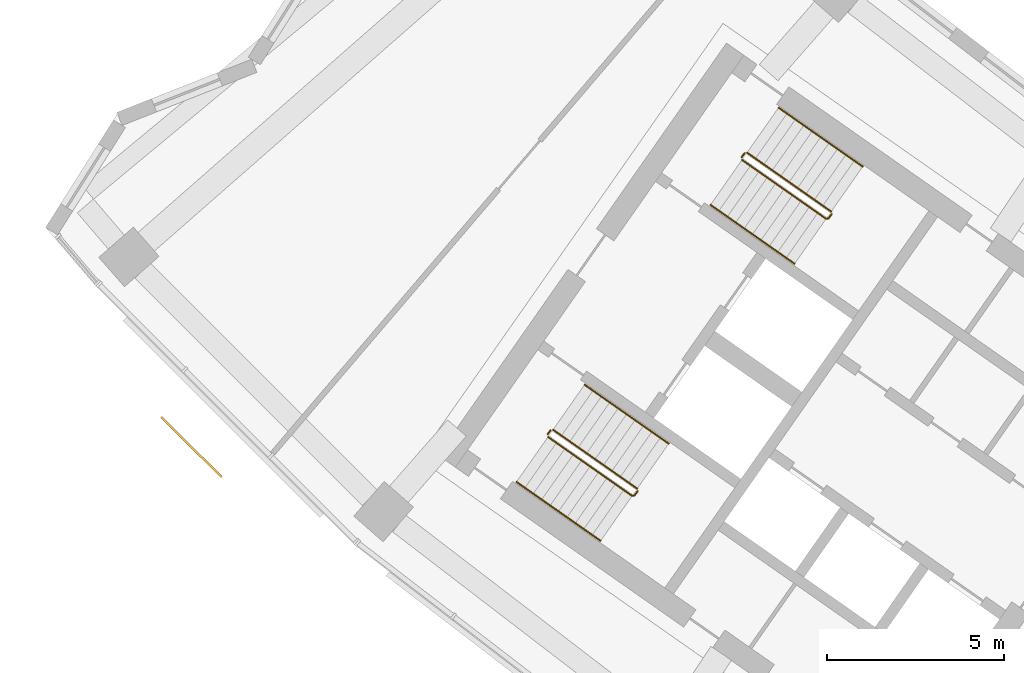
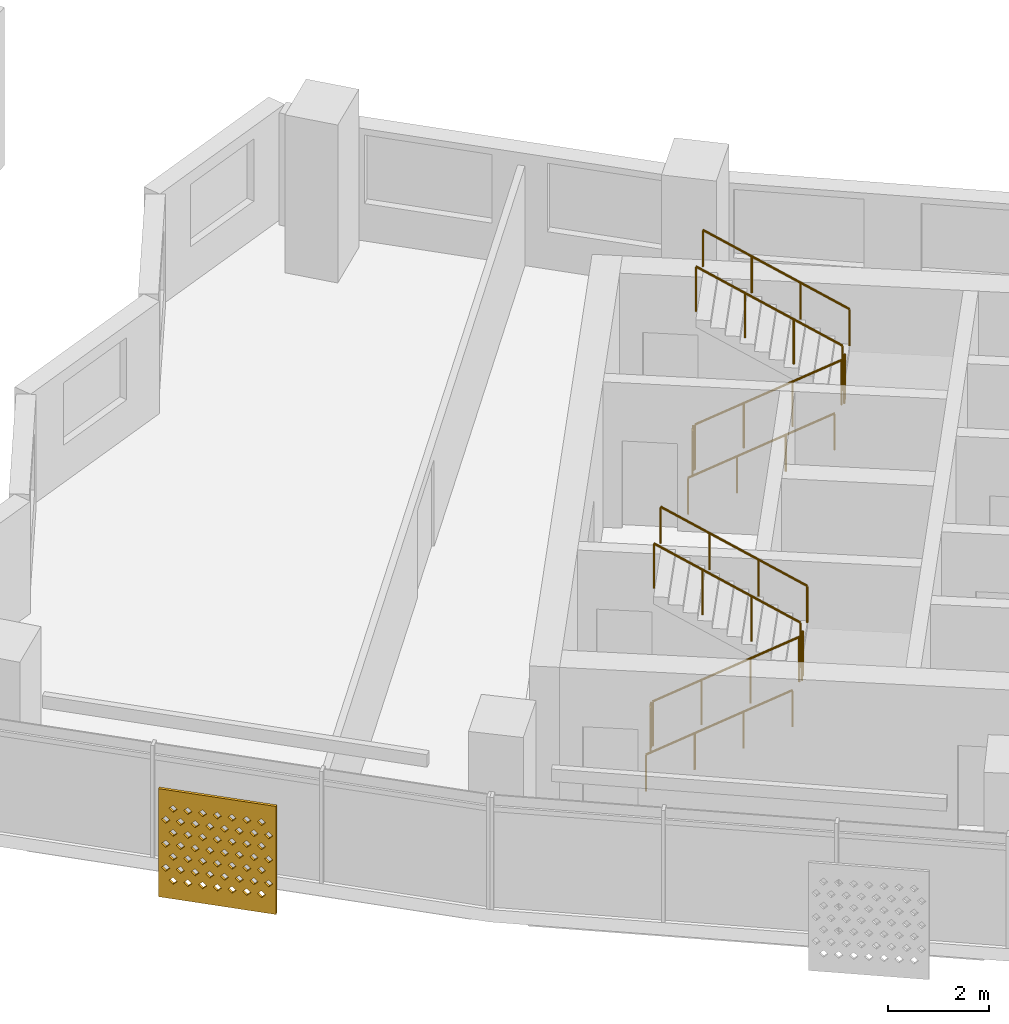
# One storey, part 22 of 26: 10 railings, 1 shading device.
"""IFC4 building model written with IfcOpenShell, lengths in metres."""

from ifc_helpers import new_model, si_unit, direction, frame, origin, origin_2d, place, context, subcontext, project, spatial, polyline, circle, outline, extrude, material, material_profile, profile_set, type_object, element, save


model = new_model("IFC4")

# Units and contexts
model_context = context("Model", 3, precision=1e-05, world=origin(), true_north=direction((0.0, 1.0)))
body_context = subcontext(model_context, "Body", "Model", "MODEL_VIEW")
ifc_project = project(units=[si_unit("LENGTHUNIT", "METRE"), si_unit("AREAUNIT", "SQUARE_METRE"), si_unit("VOLUMEUNIT", "CUBIC_METRE"), si_unit("PLANEANGLEUNIT", "RADIAN"), si_unit("MASSUNIT", "GRAM", prefix="KILO")], contexts=[model_context])

# Site, building, storey
site_placement = place(None, origin())
site = spatial("IfcSite", under=ifc_project, at=site_placement, CompositionType="ELEMENT")
building_placement = place(site_placement, origin())
building = spatial("IfcBuilding", under=site, at=building_placement, Name="Qamariyya Broadcast Tower", CompositionType="ELEMENT")
storey_placement = place(building_placement, frame((0.0, 0.0, 160.699951171875)))
storey = spatial("IfcBuildingStorey", under=building, at=storey_placement, Name="L37", CompositionType="ELEMENT", Elevation=160.699951171875)

# Shading device
ifc_material_1 = material(Name="Perforated glazed terracotta", Category="masonry")
ifc_material_profile = material_profile(ifc_material_1, outline(polyline([(-1.199951171875, -1.300048828125), (1.199951171875, -1.300048828125), (1.199951171875, 1.300048828125), (-1.199951171875, 1.300048828125), (-1.199951171875, -1.300048828125)]), holes=[polyline([(-0.81494140625, -0.86669921875), (-0.89990234375, -0.78173828125), (-0.985107421875, -0.86669921875), (-0.89990234375, -0.95166015625), (-0.81494140625, -0.86669921875)]), polyline([(-0.514892578125, -0.86669921875), (-0.60009765625, -0.78173828125), (-0.68505859375, -0.86669921875), (-0.60009765625, -0.95166015625), (-0.514892578125, -0.86669921875)]), polyline([(-0.215087890625, -0.86669921875), (-0.300048828125, -0.78173828125), (-0.385009765625, -0.86669921875), (-0.300048828125, -0.95166015625), (-0.215087890625, -0.86669921875)]), polyline([(0.0849609375, -0.86669921875), (0.0, -0.78173828125), (-0.0849609375, -0.86669921875), (0.0, -0.95166015625), (0.0849609375, -0.86669921875)]), polyline([(0.385009765625, -0.86669921875), (0.300048828125, -0.78173828125), (0.215087890625, -0.86669921875), (0.300048828125, -0.95166015625), (0.385009765625, -0.86669921875)]), polyline([(0.68505859375, -0.86669921875), (0.60009765625, -0.78173828125), (0.514892578125, -0.86669921875), (0.60009765625, -0.95166015625), (0.68505859375, -0.86669921875)]), polyline([(0.985107421875, -0.86669921875), (0.89990234375, -0.78173828125), (0.81494140625, -0.86669921875), (0.89990234375, -0.95166015625), (0.985107421875, -0.86669921875)]), polyline([(-0.965087890625, -0.577880859375), (-1.050048828125, -0.49267578125), (-1.135009765625, -0.577880859375), (-1.050048828125, -0.662841796875), (-0.965087890625, -0.577880859375)]), polyline([(-0.6650390625, -0.577880859375), (-0.75, -0.49267578125), (-0.8349609375, -0.577880859375), (-0.75, -0.662841796875), (-0.6650390625, -0.577880859375)]), polyline([(-0.364990234375, -0.577880859375), (-0.449951171875, -0.49267578125), (-0.534912109375, -0.577880859375), (-0.449951171875, -0.662841796875), (-0.364990234375, -0.577880859375)]), polyline([(-0.06494140625, -0.577880859375), (-0.14990234375, -0.49267578125), (-0.235107421875, -0.577880859375), (-0.14990234375, -0.662841796875), (-0.06494140625, -0.577880859375)]), polyline([(0.235107421875, -0.577880859375), (0.14990234375, -0.49267578125), (0.06494140625, -0.577880859375), (0.14990234375, -0.662841796875), (0.235107421875, -0.577880859375)]), polyline([(0.534912109375, -0.577880859375), (0.449951171875, -0.49267578125), (0.364990234375, -0.577880859375), (0.449951171875, -0.662841796875), (0.534912109375, -0.577880859375)]), polyline([(0.8349609375, -0.577880859375), (0.75, -0.49267578125), (0.6650390625, -0.577880859375), (0.75, -0.662841796875), (0.8349609375, -0.577880859375)]), polyline([(1.135009765625, -0.577880859375), (1.050048828125, -0.49267578125), (0.965087890625, -0.577880859375), (1.050048828125, -0.662841796875), (1.135009765625, -0.577880859375)]), polyline([(-0.81494140625, -0.288818359375), (-0.89990234375, -0.203857421875), (-0.985107421875, -0.288818359375), (-0.89990234375, -0.373779296875), (-0.81494140625, -0.288818359375)]), polyline([(-0.514892578125, -0.288818359375), (-0.60009765625, -0.203857421875), (-0.68505859375, -0.288818359375), (-0.60009765625, -0.373779296875), (-0.514892578125, -0.288818359375)]), polyline([(-0.215087890625, -0.288818359375), (-0.300048828125, -0.203857421875), (-0.385009765625, -0.288818359375), (-0.300048828125, -0.373779296875), (-0.215087890625, -0.288818359375)]), polyline([(0.0849609375, -0.288818359375), (0.0, -0.203857421875), (-0.0849609375, -0.288818359375), (0.0, -0.373779296875), (0.0849609375, -0.288818359375)]), polyline([(0.385009765625, -0.288818359375), (0.300048828125, -0.203857421875), (0.215087890625, -0.288818359375), (0.300048828125, -0.373779296875), (0.385009765625, -0.288818359375)]), polyline([(0.68505859375, -0.288818359375), (0.60009765625, -0.203857421875), (0.514892578125, -0.288818359375), (0.60009765625, -0.373779296875), (0.68505859375, -0.288818359375)]), polyline([(0.985107421875, -0.288818359375), (0.89990234375, -0.203857421875), (0.81494140625, -0.288818359375), (0.89990234375, -0.373779296875), (0.985107421875, -0.288818359375)]), polyline([(-0.965087890625, 0.0), (-1.050048828125, 0.0849609375), (-1.135009765625, 0.0), (-1.050048828125, -0.0849609375), (-0.965087890625, 0.0)]), polyline([(-0.6650390625, 0.0), (-0.75, 0.0849609375), (-0.8349609375, 0.0), (-0.75, -0.0849609375), (-0.6650390625, 0.0)]), polyline([(-0.364990234375, 0.0), (-0.449951171875, 0.0849609375), (-0.534912109375, 0.0), (-0.449951171875, -0.0849609375), (-0.364990234375, 0.0)]), polyline([(-0.06494140625, 0.0), (-0.14990234375, 0.0849609375), (-0.235107421875, 0.0), (-0.14990234375, -0.0849609375), (-0.06494140625, 0.0)]), polyline([(0.235107421875, 0.0), (0.14990234375, 0.0849609375), (0.06494140625, 0.0), (0.14990234375, -0.0849609375), (0.235107421875, 0.0)]), polyline([(0.534912109375, 0.0), (0.449951171875, 0.0849609375), (0.364990234375, 0.0), (0.449951171875, -0.0849609375), (0.534912109375, 0.0)]), polyline([(0.8349609375, 0.0), (0.75, 0.0849609375), (0.6650390625, 0.0), (0.75, -0.0849609375), (0.8349609375, 0.0)]), polyline([(1.135009765625, 0.0), (1.050048828125, 0.0849609375), (0.965087890625, 0.0), (1.050048828125, -0.0849609375), (1.135009765625, 0.0)]), polyline([(-0.81494140625, 0.288818359375), (-0.89990234375, 0.373779296875), (-0.985107421875, 0.288818359375), (-0.89990234375, 0.203857421875), (-0.81494140625, 0.288818359375)]), polyline([(-0.514892578125, 0.288818359375), (-0.60009765625, 0.373779296875), (-0.68505859375, 0.288818359375), (-0.60009765625, 0.203857421875), (-0.514892578125, 0.288818359375)]), polyline([(-0.215087890625, 0.288818359375), (-0.300048828125, 0.373779296875), (-0.385009765625, 0.288818359375), (-0.300048828125, 0.203857421875), (-0.215087890625, 0.288818359375)]), polyline([(0.0849609375, 0.288818359375), (0.0, 0.373779296875), (-0.0849609375, 0.288818359375), (0.0, 0.203857421875), (0.0849609375, 0.288818359375)]), polyline([(0.385009765625, 0.288818359375), (0.300048828125, 0.373779296875), (0.215087890625, 0.288818359375), (0.300048828125, 0.203857421875), (0.385009765625, 0.288818359375)]), polyline([(0.68505859375, 0.288818359375), (0.60009765625, 0.373779296875), (0.514892578125, 0.288818359375), (0.60009765625, 0.203857421875), (0.68505859375, 0.288818359375)]), polyline([(0.985107421875, 0.288818359375), (0.89990234375, 0.373779296875), (0.81494140625, 0.288818359375), (0.89990234375, 0.203857421875), (0.985107421875, 0.288818359375)]), polyline([(-0.965087890625, 0.577880859375), (-1.050048828125, 0.662841796875), (-1.135009765625, 0.577880859375), (-1.050048828125, 0.49267578125), (-0.965087890625, 0.577880859375)]), polyline([(-0.6650390625, 0.577880859375), (-0.75, 0.662841796875), (-0.8349609375, 0.577880859375), (-0.75, 0.49267578125), (-0.6650390625, 0.577880859375)]), polyline([(-0.364990234375, 0.577880859375), (-0.449951171875, 0.662841796875), (-0.534912109375, 0.577880859375), (-0.449951171875, 0.49267578125), (-0.364990234375, 0.577880859375)]), polyline([(-0.06494140625, 0.577880859375), (-0.14990234375, 0.662841796875), (-0.235107421875, 0.577880859375), (-0.14990234375, 0.49267578125), (-0.06494140625, 0.577880859375)]), polyline([(0.235107421875, 0.577880859375), (0.14990234375, 0.662841796875), (0.06494140625, 0.577880859375), (0.14990234375, 0.49267578125), (0.235107421875, 0.577880859375)]), polyline([(0.534912109375, 0.577880859375), (0.449951171875, 0.662841796875), (0.364990234375, 0.577880859375), (0.449951171875, 0.49267578125), (0.534912109375, 0.577880859375)]), polyline([(0.8349609375, 0.577880859375), (0.75, 0.662841796875), (0.6650390625, 0.577880859375), (0.75, 0.49267578125), (0.8349609375, 0.577880859375)]), polyline([(1.135009765625, 0.577880859375), (1.050048828125, 0.662841796875), (0.965087890625, 0.577880859375), (1.050048828125, 0.49267578125), (1.135009765625, 0.577880859375)]), polyline([(-0.81494140625, 0.86669921875), (-0.89990234375, 0.95166015625), (-0.985107421875, 0.86669921875), (-0.89990234375, 0.78173828125), (-0.81494140625, 0.86669921875)]), polyline([(-0.514892578125, 0.86669921875), (-0.60009765625, 0.95166015625), (-0.68505859375, 0.86669921875), (-0.60009765625, 0.78173828125), (-0.514892578125, 0.86669921875)]), polyline([(-0.215087890625, 0.86669921875), (-0.300048828125, 0.95166015625), (-0.385009765625, 0.86669921875), (-0.300048828125, 0.78173828125), (-0.215087890625, 0.86669921875)]), polyline([(0.0849609375, 0.86669921875), (0.0, 0.95166015625), (-0.0849609375, 0.86669921875), (0.0, 0.78173828125), (0.0849609375, 0.86669921875)]), polyline([(0.385009765625, 0.86669921875), (0.300048828125, 0.95166015625), (0.215087890625, 0.86669921875), (0.300048828125, 0.78173828125), (0.385009765625, 0.86669921875)]), polyline([(0.68505859375, 0.86669921875), (0.60009765625, 0.95166015625), (0.514892578125, 0.86669921875), (0.60009765625, 0.78173828125), (0.68505859375, 0.86669921875)]), polyline([(0.985107421875, 0.86669921875), (0.89990234375, 0.95166015625), (0.81494140625, 0.86669921875), (0.89990234375, 0.78173828125), (0.985107421875, 0.86669921875)])]))
ifc_profile_set = profile_set([ifc_material_profile], Name="Perforated glazed terracotta")
shading_device_type = type_object("IfcShadingDeviceType", Name="Perforated terracotta screen 2400 x 2600", PredefinedType="USERDEFINED", material=ifc_profile_set)
shading_device_placement = place(storey_placement, frame((-56.66943359375, -56.6103515625, 1.35009765625), z_axis=(-0.705066081692, -0.709141608176, 0.0), x_axis=(0.709141608176, -0.705066081692, 0.0)))
element("IfcShadingDevice", 1, at=shading_device_placement, inside=storey, type_object=shading_device_type, Name="e-scr-L37-01-1", ObjectType="SCREEN", PredefinedType="USERDEFINED", context=body_context, shape_type="SweptSolid", body=[
    extrude(outline(polyline([(-1.199951171875, -1.300048828125), (1.199951171875, -1.300048828125), (1.199951171875, 1.300048828125), (-1.199951171875, 1.300048828125), (-1.199951171875, -1.300048828125)]), holes=[polyline([(-0.81494140625, -0.86669921875), (-0.89990234375, -0.78173828125), (-0.985107421875, -0.86669921875), (-0.89990234375, -0.95166015625), (-0.81494140625, -0.86669921875)]), polyline([(-0.514892578125, -0.86669921875), (-0.60009765625, -0.78173828125), (-0.68505859375, -0.86669921875), (-0.60009765625, -0.95166015625), (-0.514892578125, -0.86669921875)]), polyline([(-0.215087890625, -0.86669921875), (-0.300048828125, -0.78173828125), (-0.385009765625, -0.86669921875), (-0.300048828125, -0.95166015625), (-0.215087890625, -0.86669921875)]), polyline([(0.0849609375, -0.86669921875), (0.0, -0.78173828125), (-0.0849609375, -0.86669921875), (0.0, -0.95166015625), (0.0849609375, -0.86669921875)]), polyline([(0.385009765625, -0.86669921875), (0.300048828125, -0.78173828125), (0.215087890625, -0.86669921875), (0.300048828125, -0.95166015625), (0.385009765625, -0.86669921875)]), polyline([(0.68505859375, -0.86669921875), (0.60009765625, -0.78173828125), (0.514892578125, -0.86669921875), (0.60009765625, -0.95166015625), (0.68505859375, -0.86669921875)]), polyline([(0.985107421875, -0.86669921875), (0.89990234375, -0.78173828125), (0.81494140625, -0.86669921875), (0.89990234375, -0.95166015625), (0.985107421875, -0.86669921875)]), polyline([(-0.965087890625, -0.577880859375), (-1.050048828125, -0.49267578125), (-1.135009765625, -0.577880859375), (-1.050048828125, -0.662841796875), (-0.965087890625, -0.577880859375)]), polyline([(-0.6650390625, -0.577880859375), (-0.75, -0.49267578125), (-0.8349609375, -0.577880859375), (-0.75, -0.662841796875), (-0.6650390625, -0.577880859375)]), polyline([(-0.364990234375, -0.577880859375), (-0.449951171875, -0.49267578125), (-0.534912109375, -0.577880859375), (-0.449951171875, -0.662841796875), (-0.364990234375, -0.577880859375)]), polyline([(-0.06494140625, -0.577880859375), (-0.14990234375, -0.49267578125), (-0.235107421875, -0.577880859375), (-0.14990234375, -0.662841796875), (-0.06494140625, -0.577880859375)]), polyline([(0.235107421875, -0.577880859375), (0.14990234375, -0.49267578125), (0.06494140625, -0.577880859375), (0.14990234375, -0.662841796875), (0.235107421875, -0.577880859375)]), polyline([(0.534912109375, -0.577880859375), (0.449951171875, -0.49267578125), (0.364990234375, -0.577880859375), (0.449951171875, -0.662841796875), (0.534912109375, -0.577880859375)]), polyline([(0.8349609375, -0.577880859375), (0.75, -0.49267578125), (0.6650390625, -0.577880859375), (0.75, -0.662841796875), (0.8349609375, -0.577880859375)]), polyline([(1.135009765625, -0.577880859375), (1.050048828125, -0.49267578125), (0.965087890625, -0.577880859375), (1.050048828125, -0.662841796875), (1.135009765625, -0.577880859375)]), polyline([(-0.81494140625, -0.288818359375), (-0.89990234375, -0.203857421875), (-0.985107421875, -0.288818359375), (-0.89990234375, -0.373779296875), (-0.81494140625, -0.288818359375)]), polyline([(-0.514892578125, -0.288818359375), (-0.60009765625, -0.203857421875), (-0.68505859375, -0.288818359375), (-0.60009765625, -0.373779296875), (-0.514892578125, -0.288818359375)]), polyline([(-0.215087890625, -0.288818359375), (-0.300048828125, -0.203857421875), (-0.385009765625, -0.288818359375), (-0.300048828125, -0.373779296875), (-0.215087890625, -0.288818359375)]), polyline([(0.0849609375, -0.288818359375), (0.0, -0.203857421875), (-0.0849609375, -0.288818359375), (0.0, -0.373779296875), (0.0849609375, -0.288818359375)]), polyline([(0.385009765625, -0.288818359375), (0.300048828125, -0.203857421875), (0.215087890625, -0.288818359375), (0.300048828125, -0.373779296875), (0.385009765625, -0.288818359375)]), polyline([(0.68505859375, -0.288818359375), (0.60009765625, -0.203857421875), (0.514892578125, -0.288818359375), (0.60009765625, -0.373779296875), (0.68505859375, -0.288818359375)]), polyline([(0.985107421875, -0.288818359375), (0.89990234375, -0.203857421875), (0.81494140625, -0.288818359375), (0.89990234375, -0.373779296875), (0.985107421875, -0.288818359375)]), polyline([(-0.965087890625, 0.0), (-1.050048828125, 0.0849609375), (-1.135009765625, 0.0), (-1.050048828125, -0.0849609375), (-0.965087890625, 0.0)]), polyline([(-0.6650390625, 0.0), (-0.75, 0.0849609375), (-0.8349609375, 0.0), (-0.75, -0.0849609375), (-0.6650390625, 0.0)]), polyline([(-0.364990234375, 0.0), (-0.449951171875, 0.0849609375), (-0.534912109375, 0.0), (-0.449951171875, -0.0849609375), (-0.364990234375, 0.0)]), polyline([(-0.06494140625, 0.0), (-0.14990234375, 0.0849609375), (-0.235107421875, 0.0), (-0.14990234375, -0.0849609375), (-0.06494140625, 0.0)]), polyline([(0.235107421875, 0.0), (0.14990234375, 0.0849609375), (0.06494140625, 0.0), (0.14990234375, -0.0849609375), (0.235107421875, 0.0)]), polyline([(0.534912109375, 0.0), (0.449951171875, 0.0849609375), (0.364990234375, 0.0), (0.449951171875, -0.0849609375), (0.534912109375, 0.0)]), polyline([(0.8349609375, 0.0), (0.75, 0.0849609375), (0.6650390625, 0.0), (0.75, -0.0849609375), (0.8349609375, 0.0)]), polyline([(1.135009765625, 0.0), (1.050048828125, 0.0849609375), (0.965087890625, 0.0), (1.050048828125, -0.0849609375), (1.135009765625, 0.0)]), polyline([(-0.81494140625, 0.288818359375), (-0.89990234375, 0.373779296875), (-0.985107421875, 0.288818359375), (-0.89990234375, 0.203857421875), (-0.81494140625, 0.288818359375)]), polyline([(-0.514892578125, 0.288818359375), (-0.60009765625, 0.373779296875), (-0.68505859375, 0.288818359375), (-0.60009765625, 0.203857421875), (-0.514892578125, 0.288818359375)]), polyline([(-0.215087890625, 0.288818359375), (-0.300048828125, 0.373779296875), (-0.385009765625, 0.288818359375), (-0.300048828125, 0.203857421875), (-0.215087890625, 0.288818359375)]), polyline([(0.0849609375, 0.288818359375), (0.0, 0.373779296875), (-0.0849609375, 0.288818359375), (0.0, 0.203857421875), (0.0849609375, 0.288818359375)]), polyline([(0.385009765625, 0.288818359375), (0.300048828125, 0.373779296875), (0.215087890625, 0.288818359375), (0.300048828125, 0.203857421875), (0.385009765625, 0.288818359375)]), polyline([(0.68505859375, 0.288818359375), (0.60009765625, 0.373779296875), (0.514892578125, 0.288818359375), (0.60009765625, 0.203857421875), (0.68505859375, 0.288818359375)]), polyline([(0.985107421875, 0.288818359375), (0.89990234375, 0.373779296875), (0.81494140625, 0.288818359375), (0.89990234375, 0.203857421875), (0.985107421875, 0.288818359375)]), polyline([(-0.965087890625, 0.577880859375), (-1.050048828125, 0.662841796875), (-1.135009765625, 0.577880859375), (-1.050048828125, 0.49267578125), (-0.965087890625, 0.577880859375)]), polyline([(-0.6650390625, 0.577880859375), (-0.75, 0.662841796875), (-0.8349609375, 0.577880859375), (-0.75, 0.49267578125), (-0.6650390625, 0.577880859375)]), polyline([(-0.364990234375, 0.577880859375), (-0.449951171875, 0.662841796875), (-0.534912109375, 0.577880859375), (-0.449951171875, 0.49267578125), (-0.364990234375, 0.577880859375)]), polyline([(-0.06494140625, 0.577880859375), (-0.14990234375, 0.662841796875), (-0.235107421875, 0.577880859375), (-0.14990234375, 0.49267578125), (-0.06494140625, 0.577880859375)]), polyline([(0.235107421875, 0.577880859375), (0.14990234375, 0.662841796875), (0.06494140625, 0.577880859375), (0.14990234375, 0.49267578125), (0.235107421875, 0.577880859375)]), polyline([(0.534912109375, 0.577880859375), (0.449951171875, 0.662841796875), (0.364990234375, 0.577880859375), (0.449951171875, 0.49267578125), (0.534912109375, 0.577880859375)]), polyline([(0.8349609375, 0.577880859375), (0.75, 0.662841796875), (0.6650390625, 0.577880859375), (0.75, 0.49267578125), (0.8349609375, 0.577880859375)]), polyline([(1.135009765625, 0.577880859375), (1.050048828125, 0.662841796875), (0.965087890625, 0.577880859375), (1.050048828125, 0.49267578125), (1.135009765625, 0.577880859375)]), polyline([(-0.81494140625, 0.86669921875), (-0.89990234375, 0.95166015625), (-0.985107421875, 0.86669921875), (-0.89990234375, 0.78173828125), (-0.81494140625, 0.86669921875)]), polyline([(-0.514892578125, 0.86669921875), (-0.60009765625, 0.95166015625), (-0.68505859375, 0.86669921875), (-0.60009765625, 0.78173828125), (-0.514892578125, 0.86669921875)]), polyline([(-0.215087890625, 0.86669921875), (-0.300048828125, 0.95166015625), (-0.385009765625, 0.86669921875), (-0.300048828125, 0.78173828125), (-0.215087890625, 0.86669921875)]), polyline([(0.0849609375, 0.86669921875), (0.0, 0.95166015625), (-0.0849609375, 0.86669921875), (0.0, 0.78173828125), (0.0849609375, 0.86669921875)]), polyline([(0.385009765625, 0.86669921875), (0.300048828125, 0.95166015625), (0.215087890625, 0.86669921875), (0.300048828125, 0.78173828125), (0.385009765625, 0.86669921875)]), polyline([(0.68505859375, 0.86669921875), (0.60009765625, 0.95166015625), (0.514892578125, 0.86669921875), (0.60009765625, 0.78173828125), (0.68505859375, 0.86669921875)]), polyline([(0.985107421875, 0.86669921875), (0.89990234375, 0.95166015625), (0.81494140625, 0.86669921875), (0.89990234375, 0.78173828125), (0.985107421875, 0.86669921875)])]), origin(), (0.0, 0.0, 1.0), 0.059814453125),
])

# Railings
ifc_material_2 = material(Name="Painted steel", Category="steel")
railing_type_1 = type_object("IfcRailingType", Name="Stair guard", PredefinedType="GUARDRAIL", material=ifc_material_2)
railing_1_placement = place(storey_placement, frame((-41.146728515625, -48.52490234375, 0.1728515625)))
element("IfcRailing", 2, at=railing_1_placement, inside=storey, type_object=railing_type_1, Name="L37 ST-W2 stair guard 1", PredefinedType="GUARDRAIL", context=body_context, shape_type="SweptSolid", body=[
    extrude(circle(Radius=0.02392578125, at=origin_2d()), frame((0.0, 0.0, 1.076171875), z_axis=(0.703770094002, -0.492783725636, 0.511734163933), x_axis=(0.573575343427, 0.819152809562, 0.0)), (0.0, 0.0, 1.0), 3.37548828125),
    extrude(circle(Radius=0.02392578125, at=origin_2d()), frame((2.37548828125, -1.663330078125, 2.80322265625), z_axis=(0.985059694769, 0.172213233351, 0.0), x_axis=(-0.172213233351, 0.985059694769, 0.0)), (0.0, 0.0, 1.0), 0.07080078125),
    extrude(circle(Radius=0.02392578125, at=origin_2d()), frame((2.4453125, -1.651123046875, 2.80322265625), z_axis=(0.572588637393, 0.819842821722, 0.0), x_axis=(-0.819842821722, 0.572588637393, 0.0)), (0.0, 0.0, 1.0), 0.150146484375),
    extrude(circle(Radius=0.02099609375, at=origin_2d()), origin(), (0.0, 0.0, 1.0), 1.052001953125),
    extrude(circle(Radius=0.02099609375, at=origin_2d()), frame((0.791748046875, -0.554443359375, 0.57568359375)), (0.0, 0.0, 1.0), 1.052001953125),
    extrude(circle(Radius=0.02099609375, at=origin_2d()), frame((1.583740234375, -1.10888671875, 1.151611328125)), (0.0, 0.0, 1.0), 1.052001953125),
    extrude(circle(Radius=0.02099609375, at=origin_2d()), frame((2.37548828125, -1.663330078125, 1.727294921875)), (0.0, 0.0, 1.0), 1.052001953125),
    extrude(circle(Radius=0.02099609375, at=origin_2d()), frame((2.4453125, -1.651123046875, 1.727294921875)), (0.0, 0.0, 1.0), 1.052001953125),
    extrude(circle(Radius=0.02099609375, at=origin_2d()), frame((2.53125, -1.528076171875, 1.727294921875)), (0.0, 0.0, 1.0), 1.052001953125),
])
railing_2_placement = place(storey_placement, frame((-38.627685546875, -49.9833984375, 2.07275390625)))
element("IfcRailing", 3, at=railing_2_placement, inside=storey, type_object=railing_type_1, Name="L37 ST-W2 stair guard 2", PredefinedType="GUARDRAIL", context=body_context, shape_type="SweptSolid", body=[
    extrude(circle(Radius=0.02392578125, at=origin_2d()), frame((0.0, 0.0, 1.076171875), z_axis=(-0.703770094002, 0.492783725636, 0.511734163933), x_axis=(-0.573575343427, -0.819152809562, 0.0)), (0.0, 0.0, 1.0), 3.37548828125),
    extrude(circle(Radius=0.02099609375, at=origin_2d()), origin(), (0.0, 0.0, 1.0), 1.052001953125),
    extrude(circle(Radius=0.02099609375, at=origin_2d()), frame((-0.791748046875, 0.554443359375, 0.57568359375)), (0.0, 0.0, 1.0), 1.052001953125),
    extrude(circle(Radius=0.02099609375, at=origin_2d()), frame((-1.583740234375, 1.10888671875, 1.151611328125)), (0.0, 0.0, 1.0), 1.052001953125),
    extrude(circle(Radius=0.02099609375, at=origin_2d()), frame((-2.37548828125, 1.663330078125, 1.727294921875)), (0.0, 0.0, 1.0), 1.052001953125),
])
railing_3_placement = place(storey_placement, frame((-41.158935546875, -48.455322265625, 0.0)))
element("IfcRailing", 4, at=railing_3_placement, inside=storey, type_object=railing_type_1, Name="L37 ST-W2 stair guard 3", PredefinedType="GUARDRAIL", context=body_context, shape_type="SweptSolid", body=[
    extrude(circle(Radius=0.02392578125, at=origin_2d()), frame((0.0, 0.0, 1.076171875), z_axis=(0.572588637393, 0.819842821722, 0.0), x_axis=(-0.819842821722, 0.572588637393, 0.0)), (0.0, 0.0, 1.0), 0.150146484375),
    extrude(circle(Radius=0.02099609375, at=origin_2d()), origin(), (0.0, 0.0, 1.0), 1.052001953125),
    extrude(circle(Radius=0.02099609375, at=origin_2d()), frame((0.0859375, 0.123046875, 0.0)), (0.0, 0.0, 1.0), 1.052001953125),
])
railing_4_placement = place(storey_placement, frame((-46.624267578125, -56.34765625, 0.1728515625)))
element("IfcRailing", 5, at=railing_4_placement, inside=storey, type_object=railing_type_1, Name="L37 ST-W1 stair guard 1", PredefinedType="GUARDRAIL", context=body_context, shape_type="SweptSolid", body=[
    extrude(circle(Radius=0.02392578125, at=origin_2d()), frame((0.0, 0.0, 1.076171875), z_axis=(0.703745009021, -0.492838488332, 0.511715923826), x_axis=(0.573631830683, 0.819113253969, 0.0)), (0.0, 0.0, 1.0), 3.37548828125),
    extrude(circle(Radius=0.02392578125, at=origin_2d()), frame((2.37548828125, -1.66357421875, 2.80322265625), z_axis=(0.984363469884, 0.176149252506, 0.0), x_axis=(-0.176149252506, 0.984363469884, 0.0)), (0.0, 0.0, 1.0), 0.07080078125),
    extrude(circle(Radius=0.02392578125, at=origin_2d()), frame((2.445068359375, -1.651123046875, 2.80322265625), z_axis=(0.574444878118, 0.818543268254, 0.0), x_axis=(-0.818543268254, 0.574444878118, 0.0)), (0.0, 0.0, 1.0), 0.150146484375),
    extrude(circle(Radius=0.02099609375, at=origin_2d()), origin(), (0.0, 0.0, 1.0), 1.052001953125),
    extrude(circle(Radius=0.02099609375, at=origin_2d()), frame((0.791748046875, -0.554443359375, 0.57568359375)), (0.0, 0.0, 1.0), 1.052001953125),
    extrude(circle(Radius=0.02099609375, at=origin_2d()), frame((1.583740234375, -1.109130859375, 1.151611328125)), (0.0, 0.0, 1.0), 1.052001953125),
    extrude(circle(Radius=0.02099609375, at=origin_2d()), frame((2.37548828125, -1.66357421875, 1.727294921875)), (0.0, 0.0, 1.0), 1.052001953125),
    extrude(circle(Radius=0.02099609375, at=origin_2d()), frame((2.445068359375, -1.651123046875, 1.727294921875)), (0.0, 0.0, 1.0), 1.052001953125),
    extrude(circle(Radius=0.02099609375, at=origin_2d()), frame((2.53125, -1.5283203125, 1.727294921875)), (0.0, 0.0, 1.0), 1.052001953125),
])
railing_5_placement = place(storey_placement, frame((-44.10546875, -57.806396484375, 2.07275390625)))
element("IfcRailing", 6, at=railing_5_placement, inside=storey, type_object=railing_type_1, Name="L37 ST-W1 stair guard 2", PredefinedType="GUARDRAIL", context=body_context, shape_type="SweptSolid", body=[
    extrude(circle(Radius=0.02392578125, at=origin_2d()), frame((0.0, 0.0, 1.076171875), z_axis=(-0.703770094002, 0.492783725636, 0.511734163933), x_axis=(-0.573575343427, -0.819152809562, 0.0)), (0.0, 0.0, 1.0), 3.37548828125),
    extrude(circle(Radius=0.02099609375, at=origin_2d()), origin(), (0.0, 0.0, 1.0), 1.052001953125),
    extrude(circle(Radius=0.02099609375, at=origin_2d()), frame((-0.791748046875, 0.554443359375, 0.57568359375)), (0.0, 0.0, 1.0), 1.052001953125),
    extrude(circle(Radius=0.02099609375, at=origin_2d()), frame((-1.583740234375, 1.10888671875, 1.151611328125)), (0.0, 0.0, 1.0), 1.052001953125),
    extrude(circle(Radius=0.02099609375, at=origin_2d()), frame((-2.37548828125, 1.663330078125, 1.727294921875)), (0.0, 0.0, 1.0), 1.052001953125),
])
railing_6_placement = place(storey_placement, frame((-46.63671875, -56.278076171875, 0.0)))
element("IfcRailing", 7, at=railing_6_placement, inside=storey, type_object=railing_type_1, Name="L37 ST-W1 stair guard 3", PredefinedType="GUARDRAIL", context=body_context, shape_type="SweptSolid", body=[
    extrude(circle(Radius=0.02392578125, at=origin_2d()), frame((0.0, 0.0, 1.076171875), z_axis=(0.574444878118, 0.818543268254, 0.0), x_axis=(-0.818543268254, 0.574444878118, 0.0)), (0.0, 0.0, 1.0), 0.150146484375),
    extrude(circle(Radius=0.02099609375, at=origin_2d()), origin(), (0.0, 0.0, 1.0), 1.052001953125),
    extrude(circle(Radius=0.02099609375, at=origin_2d()), frame((0.086181640625, 0.122802734375, 0.0)), (0.0, 0.0, 1.0), 1.052001953125),
])
ifc_material_3 = material(Name="Stainless steel", Category="steel")
railing_type_2 = type_object("IfcRailingType", Name="Stair handrail", PredefinedType="HANDRAIL", material=ifc_material_3)
railing_7_placement = place(storey_placement, frame((-42.03564453125, -49.79443359375, 0.1728515625)))
element("IfcRailing", 8, at=railing_7_placement, inside=storey, type_object=railing_type_2, Name="L37 ST-W2 stair handrail 1", PredefinedType="HANDRAIL", context=body_context, shape_type="SweptSolid", body=[
    extrude(circle(Radius=0.02392578125, at=origin_2d()), frame((0.0, 0.0, 0.8759765625), z_axis=(0.703745009021, -0.492838488332, 0.511715923826), x_axis=(0.573631830683, 0.819113253969, 0.0)), (0.0, 0.0, 1.0), 3.37548828125),
    extrude(circle(Radius=0.02099609375, at=origin_2d()), origin(), (0.0, 0.0, 1.0), 0.851806640625),
    extrude(circle(Radius=0.02099609375, at=origin_2d()), frame((0.791748046875, -0.554443359375, 0.57568359375)), (0.0, 0.0, 1.0), 0.851806640625),
    extrude(circle(Radius=0.02099609375, at=origin_2d()), frame((1.583740234375, -1.109130859375, 1.151611328125)), (0.0, 0.0, 1.0), 0.851806640625),
    extrude(circle(Radius=0.02099609375, at=origin_2d()), frame((2.37548828125, -1.66357421875, 1.727294921875)), (0.0, 0.0, 1.0), 0.851806640625),
])
railing_8_placement = place(storey_placement, frame((-37.73876953125, -48.7138671875, 2.07275390625)))
element("IfcRailing", 9, at=railing_8_placement, inside=storey, type_object=railing_type_2, Name="L37 ST-W2 stair handrail 2", PredefinedType="HANDRAIL", context=body_context, shape_type="SweptSolid", body=[
    extrude(circle(Radius=0.02392578125, at=origin_2d()), frame((0.0, 0.0, 0.8759765625), z_axis=(-0.703745009021, 0.492838488332, 0.511715923826), x_axis=(-0.573631830683, -0.819113253969, 0.0)), (0.0, 0.0, 1.0), 3.37548828125),
    extrude(circle(Radius=0.02099609375, at=origin_2d()), origin(), (0.0, 0.0, 1.0), 0.851806640625),
    extrude(circle(Radius=0.02099609375, at=origin_2d()), frame((-0.791748046875, 0.554443359375, 0.57568359375)), (0.0, 0.0, 1.0), 0.851806640625),
    extrude(circle(Radius=0.02099609375, at=origin_2d()), frame((-1.583740234375, 1.109130859375, 1.151611328125)), (0.0, 0.0, 1.0), 0.851806640625),
    extrude(circle(Radius=0.02099609375, at=origin_2d()), frame((-2.37548828125, 1.66357421875, 1.727294921875)), (0.0, 0.0, 1.0), 0.851806640625),
])
railing_9_placement = place(storey_placement, frame((-47.513427734375, -57.617431640625, 0.1728515625)))
element("IfcRailing", 10, at=railing_9_placement, inside=storey, type_object=railing_type_2, Name="L37 ST-W1 stair handrail 1", PredefinedType="HANDRAIL", context=body_context, shape_type="SweptSolid", body=[
    extrude(circle(Radius=0.02392578125, at=origin_2d()), frame((0.0, 0.0, 0.8759765625), z_axis=(0.703770094002, -0.492783725636, 0.511734163933), x_axis=(0.573575343427, 0.819152809562, 0.0)), (0.0, 0.0, 1.0), 3.37548828125),
    extrude(circle(Radius=0.02099609375, at=origin_2d()), origin(), (0.0, 0.0, 1.0), 0.851806640625),
    extrude(circle(Radius=0.02099609375, at=origin_2d()), frame((0.791748046875, -0.554443359375, 0.57568359375)), (0.0, 0.0, 1.0), 0.851806640625),
    extrude(circle(Radius=0.02099609375, at=origin_2d()), frame((1.583740234375, -1.10888671875, 1.151611328125)), (0.0, 0.0, 1.0), 0.851806640625),
    extrude(circle(Radius=0.02099609375, at=origin_2d()), frame((2.37548828125, -1.663330078125, 1.727294921875)), (0.0, 0.0, 1.0), 0.851806640625),
])
railing_10_placement = place(storey_placement, frame((-43.21630859375, -56.53662109375, 2.07275390625)))
element("IfcRailing", 11, at=railing_10_placement, inside=storey, type_object=railing_type_2, Name="L37 ST-W1 stair handrail 2", PredefinedType="HANDRAIL", context=body_context, shape_type="SweptSolid", body=[
    extrude(circle(Radius=0.02392578125, at=origin_2d()), frame((0.0, 0.0, 0.8759765625), z_axis=(-0.703770094002, 0.492783725636, 0.511734163933), x_axis=(-0.573575343427, -0.819152809562, 0.0)), (0.0, 0.0, 1.0), 3.37548828125),
    extrude(circle(Radius=0.02099609375, at=origin_2d()), origin(), (0.0, 0.0, 1.0), 0.851806640625),
    extrude(circle(Radius=0.02099609375, at=origin_2d()), frame((-0.791748046875, 0.554443359375, 0.57568359375)), (0.0, 0.0, 1.0), 0.851806640625),
    extrude(circle(Radius=0.02099609375, at=origin_2d()), frame((-1.583740234375, 1.10888671875, 1.151611328125)), (0.0, 0.0, 1.0), 0.851806640625),
    extrude(circle(Radius=0.02099609375, at=origin_2d()), frame((-2.37548828125, 1.663330078125, 1.727294921875)), (0.0, 0.0, 1.0), 0.851806640625),
])

save(model, "model.ifc")
